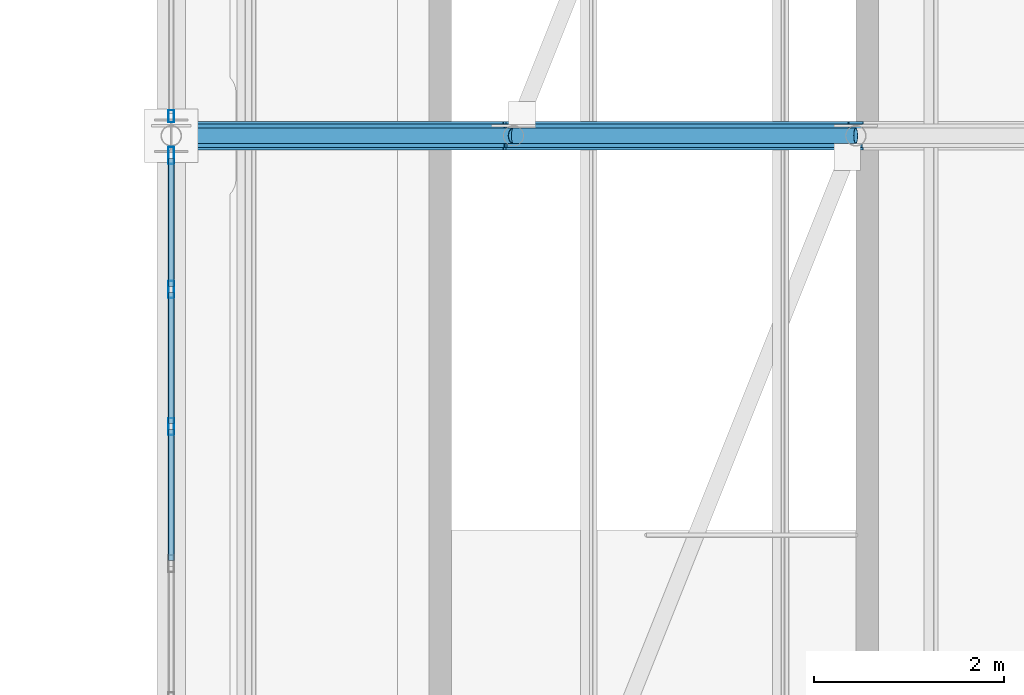
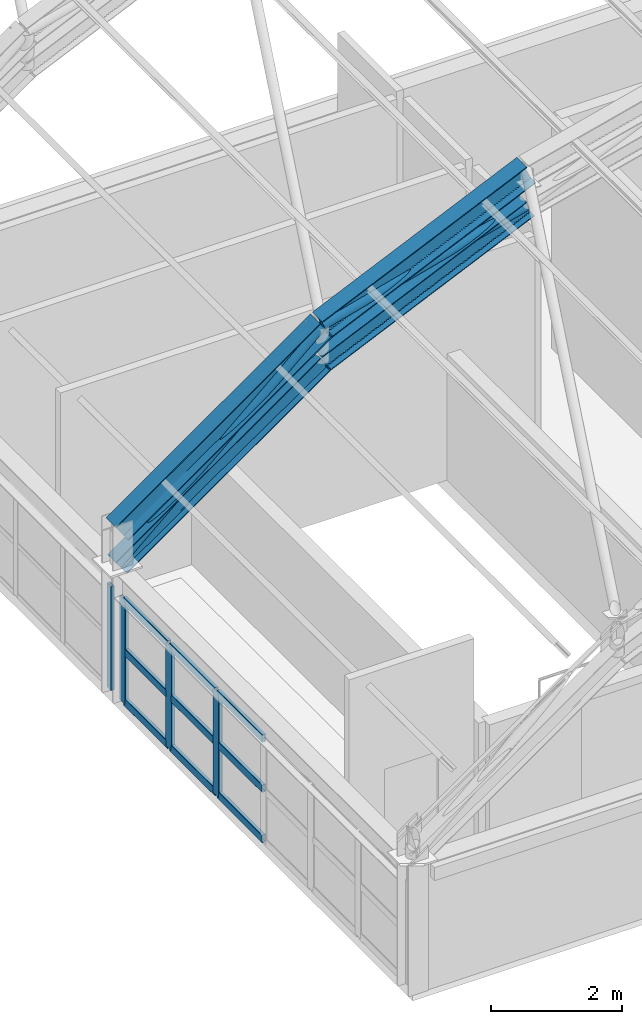
# One storey, part 26 of 121: 17 members, 2 beams, 2 elements without a shape of their own.
"""IFC4 building model written with IfcOpenShell, lengths in metres."""

from ifc_helpers import new_model, si_unit, direction, frame, origin, origin_2d, place, context, subcontext, project, spatial, hollow_rectangle, hollow_circle, i_section, extrude, material, material_profile, profile_set, type_object, element, aggregate, save


model = new_model("IFC4")

# Units and contexts
model_context = context("Model", 3, precision=1e-05, world=origin(), true_north=direction((0.0, 1.0)))
body_context = subcontext(model_context, "Body", "Model", "MODEL_VIEW")
ifc_project = project(units=[si_unit("LENGTHUNIT", "METRE"), si_unit("AREAUNIT", "SQUARE_METRE"), si_unit("VOLUMEUNIT", "CUBIC_METRE"), si_unit("PLANEANGLEUNIT", "RADIAN"), si_unit("MASSUNIT", "GRAM", prefix="KILO")], contexts=[model_context])

# Site, building, storey
site_placement = place(None, origin())
site = spatial("IfcSite", under=ifc_project, at=site_placement, CompositionType="ELEMENT")
building_placement = place(site_placement, origin())
building = spatial("IfcBuilding", under=site, at=building_placement, Name="Canglan Escarpment Cableway Terminal", CompositionType="ELEMENT")
storey_placement = place(building_placement, frame((0.0, 0.0, 24.60009765625)))
storey = spatial("IfcBuildingStorey", under=building, at=storey_placement, Name="L05", CompositionType="ELEMENT", Elevation=24.60009765625)

# Beams
ifc_material_1 = material(Name="Steel Q355B", Category="steel")
ifc_material_profile_1 = material_profile(ifc_material_1, i_section(OverallWidth=0.300048828125, OverallDepth=0.389892578125, WebThickness=0.010009765625, FlangeThickness=0.01611328125, FilletRadius=0.02197265625, at=origin_2d()), Name="HM 390x300x10x16")
ifc_profile_set_1 = profile_set([ifc_material_profile_1], Name="Steel Q355B")
beam_type = type_object("IfcBeamType", Name="BM-ARCH-TOP-HM390", PredefinedType="BEAM", material=ifc_profile_set_1)
beam_1_placement = place(storey_placement, frame((137.60009765625, 43.0, 3.08251953125), z_axis=(0.817731009495, 0.0, 0.575600552563), x_axis=(0.0, 1.0, 0.0)))
element("IfcBeam", 1, at=beam_1_placement, inside=storey, type_object=beam_type, Name="Vault ROOF TRUSS arch top chord AR-TC1", PredefinedType="BEAM", context=body_context, shape_type="SweptSolid", body=[
    extrude(i_section(OverallWidth=0.300048828125, OverallDepth=0.389892578125, WebThickness=0.010009765625, FlangeThickness=0.01611328125, FilletRadius=0.02197265625, at=origin_2d()), origin(), (0.0, 0.0, 1.0), 4.40234375),
])
beam_2_placement = place(storey_placement, frame((141.199951171875, 43.0, 5.616455078125), z_axis=(0.911752518833, 0.0, 0.410739996108), x_axis=(0.0, 1.0, 0.0)))
element("IfcBeam", 2, at=beam_2_placement, inside=storey, type_object=beam_type, Name="Vault ROOF TRUSS arch top chord AR-TC1", PredefinedType="BEAM", context=body_context, shape_type="SweptSolid", body=[
    extrude(i_section(OverallWidth=0.300048828125, OverallDepth=0.389892578125, WebThickness=0.010009765625, FlangeThickness=0.01611328125, FilletRadius=0.02197265625, at=origin_2d()), origin(), (0.0, 0.0, 1.0), 3.948486328125),
])

# Curtain wall, member
ifc_material_2 = material(Name="Anodized bronze aluminium and Low-E double glazing", Category="aluminium")
curtain_wall_type = type_object("IfcCurtainWallType", Name="CW-BAY-8650x1925", PredefinedType="NOTDEFINED", material=ifc_material_2)
curtain_wall_1_placement = place(storey_placement, origin())
curtain_wall_1 = element("IfcCurtainWall", 3, at=curtain_wall_1_placement, inside=storey, type_object=curtain_wall_type, Name="Classical bay-between-piers glazed curtain wall CW-65", PredefinedType="NOTDEFINED")
ifc_material_3 = material(Name="Thermally broken anodized aluminium 6063-T6", Category="aluminium")
ifc_material_profile_2 = material_profile(ifc_material_3, hollow_rectangle(XDim=0.06005859375, YDim=0.1298828125, WallThickness=0.0029296875, InnerFilletRadius=0.0029296875, OuterFilletRadius=0.006103515625, at=origin_2d()), Name="ALU-MULL 60x130x3")
ifc_profile_set_2 = profile_set([ifc_material_profile_2], Name="Thermally broken anodized aluminium 6063-T6")
member_type_1 = type_object("IfcMemberType", Name="CWM-01", PredefinedType="MULLION", material=ifc_profile_set_2)
member_1_placement = place(storey_placement, frame((137.60009765625, 43.205078125, 0.0), z_axis=(0.0, 0.0, 1.0), x_axis=(1.0, 0.0, 0.0)))
member_1 = element("IfcMember", 4, at=member_1_placement, type_object=member_type_1, Name="CW-65 mullion 7", PredefinedType="MULLION", context=body_context, shape_type="SweptSolid", body=[
    extrude(hollow_rectangle(XDim=0.06005859375, YDim=0.1298828125, WallThickness=0.0029296875, InnerFilletRadius=0.0029296875, OuterFilletRadius=0.006103515625, at=origin_2d()), origin(), (0.0, 0.0, 1.0), 1.932373046875),
])
aggregate(curtain_wall_1, [member_1])

# Curtain wall, members
curtain_wall_2_placement = place(storey_placement, origin())
curtain_wall_2 = element("IfcCurtainWall", 5, at=curtain_wall_2_placement, inside=storey, type_object=curtain_wall_type, Name="Classical bay-between-piers glazed curtain wall CW-65", PredefinedType="NOTDEFINED")
ifc_material_profile_3 = material_profile(ifc_material_3, hollow_rectangle(XDim=0.06494140625, YDim=0.179931640625, WallThickness=0.00390625, InnerFilletRadius=0.00390625, OuterFilletRadius=0.008056640625, at=origin_2d()), Name="ALU-MULL 65x180x4")
ifc_profile_set_3 = profile_set([ifc_material_profile_3], Name="Thermally broken anodized aluminium 6063-T6")
member_type_2 = type_object("IfcMemberType", Name="CWM-03", PredefinedType="MULLION", material=ifc_profile_set_3)
member_2_placement = place(storey_placement, frame((137.60009765625, 42.79248046875, 0.0), z_axis=(0.0, 0.0, 1.0), x_axis=(1.0, 0.0, 0.0)))
member_2 = element("IfcMember", 6, at=member_2_placement, type_object=member_type_2, Name="CW-65 mullion 1", PredefinedType="MULLION", context=body_context, shape_type="SweptSolid", body=[
    extrude(hollow_rectangle(XDim=0.06494140625, YDim=0.179931640625, WallThickness=0.00390625, InnerFilletRadius=0.00390625, OuterFilletRadius=0.008056640625, at=origin_2d()), origin(), (0.0, 0.0, 1.0), 1.932373046875),
])
member_3_placement = place(storey_placement, frame((137.60009765625, 41.38330078125, 0.0), z_axis=(0.0, 0.0, 1.0), x_axis=(1.0, 0.0, 0.0)))
member_3 = element("IfcMember", 7, at=member_3_placement, type_object=member_type_2, Name="CW-65 mullion 2", PredefinedType="MULLION", context=body_context, shape_type="SweptSolid", body=[
    extrude(hollow_rectangle(XDim=0.06494140625, YDim=0.179931640625, WallThickness=0.00390625, InnerFilletRadius=0.00390625, OuterFilletRadius=0.008056640625, at=origin_2d()), origin(), (0.0, 0.0, 1.0), 1.932373046875),
])
member_4_placement = place(storey_placement, frame((137.60009765625, 39.941650390625, 0.0), z_axis=(0.0, 0.0, 1.0), x_axis=(1.0, 0.0, 0.0)))
member_4 = element("IfcMember", 8, at=member_4_placement, type_object=member_type_2, Name="CW-65 mullion 3", PredefinedType="MULLION", context=body_context, shape_type="SweptSolid", body=[
    extrude(hollow_rectangle(XDim=0.06494140625, YDim=0.179931640625, WallThickness=0.00390625, InnerFilletRadius=0.00390625, OuterFilletRadius=0.008056640625, at=origin_2d()), origin(), (0.0, 0.0, 1.0), 1.932373046875),
])
ifc_material_profile_4 = material_profile(ifc_material_3, hollow_rectangle(XDim=0.06494140625, YDim=0.139892578125, WallThickness=0.00341796875, InnerFilletRadius=0.00341796875, OuterFilletRadius=0.007080078125, at=origin_2d()), Name="ALU-TRAN 65x140x3.5")
ifc_profile_set_4 = profile_set([ifc_material_profile_4], Name="Thermally broken anodized aluminium 6063-T6")
member_type_3 = type_object("IfcMemberType", Name="CWT-03", PredefinedType="USERDEFINED", material=ifc_profile_set_4)
member_5_placement = place(storey_placement, frame((137.60009765625, 42.760009765625, 0.032470703125), z_axis=(0.0, -1.0, 0.0), x_axis=(1.0, 0.0, 0.0)))
member_5 = element("IfcMember", 9, at=member_5_placement, type_object=member_type_3, Name="CW-65 transom 1.1", ObjectType="TRANSOM", PredefinedType="USERDEFINED", context=body_context, shape_type="SweptSolid", body=[
    extrude(hollow_rectangle(XDim=0.06494140625, YDim=0.139892578125, WallThickness=0.00341796875, InnerFilletRadius=0.00341796875, OuterFilletRadius=0.007080078125, at=origin_2d()), origin(), (0.0, 0.0, 1.0), 1.34423828125),
])
member_6_placement = place(storey_placement, frame((137.60009765625, 42.760009765625, 0.96630859375), z_axis=(0.0, -1.0, 0.0), x_axis=(1.0, 0.0, 0.0)))
member_6 = element("IfcMember", 10, at=member_6_placement, type_object=member_type_3, Name="CW-65 transom 1.2", ObjectType="TRANSOM", PredefinedType="USERDEFINED", context=body_context, shape_type="SweptSolid", body=[
    extrude(hollow_rectangle(XDim=0.06494140625, YDim=0.139892578125, WallThickness=0.00341796875, InnerFilletRadius=0.00341796875, OuterFilletRadius=0.007080078125, at=origin_2d()), origin(), (0.0, 0.0, 1.0), 1.34423828125),
])
member_7_placement = place(storey_placement, frame((137.60009765625, 42.760009765625, 1.89990234375), z_axis=(0.0, -1.0, 0.0), x_axis=(1.0, 0.0, 0.0)))
member_7 = element("IfcMember", 11, at=member_7_placement, type_object=member_type_3, Name="CW-65 transom 1.3", ObjectType="TRANSOM", PredefinedType="USERDEFINED", context=body_context, shape_type="SweptSolid", body=[
    extrude(hollow_rectangle(XDim=0.06494140625, YDim=0.139892578125, WallThickness=0.00341796875, InnerFilletRadius=0.00341796875, OuterFilletRadius=0.007080078125, at=origin_2d()), origin(), (0.0, 0.0, 1.0), 1.34423828125),
])
member_8_placement = place(storey_placement, frame((137.60009765625, 41.350830078125, 0.032470703125), z_axis=(0.0, -1.0, 0.0), x_axis=(1.0, 0.0, 0.0)))
member_8 = element("IfcMember", 12, at=member_8_placement, type_object=member_type_3, Name="CW-65 transom 2.1", ObjectType="TRANSOM", PredefinedType="USERDEFINED", context=body_context, shape_type="SweptSolid", body=[
    extrude(hollow_rectangle(XDim=0.06494140625, YDim=0.139892578125, WallThickness=0.00341796875, InnerFilletRadius=0.00341796875, OuterFilletRadius=0.007080078125, at=origin_2d()), origin(), (0.0, 0.0, 1.0), 1.376708984375),
])
member_9_placement = place(storey_placement, frame((137.60009765625, 41.350830078125, 0.96630859375), z_axis=(0.0, -1.0, 0.0), x_axis=(1.0, 0.0, 0.0)))
member_9 = element("IfcMember", 13, at=member_9_placement, type_object=member_type_3, Name="CW-65 transom 2.2", ObjectType="TRANSOM", PredefinedType="USERDEFINED", context=body_context, shape_type="SweptSolid", body=[
    extrude(hollow_rectangle(XDim=0.06494140625, YDim=0.139892578125, WallThickness=0.00341796875, InnerFilletRadius=0.00341796875, OuterFilletRadius=0.007080078125, at=origin_2d()), origin(), (0.0, 0.0, 1.0), 1.376708984375),
])
member_10_placement = place(storey_placement, frame((137.60009765625, 41.350830078125, 1.89990234375), z_axis=(0.0, -1.0, 0.0), x_axis=(1.0, 0.0, 0.0)))
member_10 = element("IfcMember", 14, at=member_10_placement, type_object=member_type_3, Name="CW-65 transom 2.3", ObjectType="TRANSOM", PredefinedType="USERDEFINED", context=body_context, shape_type="SweptSolid", body=[
    extrude(hollow_rectangle(XDim=0.06494140625, YDim=0.139892578125, WallThickness=0.00341796875, InnerFilletRadius=0.00341796875, OuterFilletRadius=0.007080078125, at=origin_2d()), origin(), (0.0, 0.0, 1.0), 1.376708984375),
])
member_11_placement = place(storey_placement, frame((137.60009765625, 39.9091796875, 0.032470703125), z_axis=(0.0, -1.0, 0.0), x_axis=(1.0, 0.0, 0.0)))
member_11 = element("IfcMember", 15, at=member_11_placement, type_object=member_type_3, Name="CW-65 transom 3.1", ObjectType="TRANSOM", PredefinedType="USERDEFINED", context=body_context, shape_type="SweptSolid", body=[
    extrude(hollow_rectangle(XDim=0.06494140625, YDim=0.139892578125, WallThickness=0.00341796875, InnerFilletRadius=0.00341796875, OuterFilletRadius=0.007080078125, at=origin_2d()), origin(), (0.0, 0.0, 1.0), 1.376708984375),
])
member_12_placement = place(storey_placement, frame((137.60009765625, 39.9091796875, 0.96630859375), z_axis=(0.0, -1.0, 0.0), x_axis=(1.0, 0.0, 0.0)))
member_12 = element("IfcMember", 16, at=member_12_placement, type_object=member_type_3, Name="CW-65 transom 3.2", ObjectType="TRANSOM", PredefinedType="USERDEFINED", context=body_context, shape_type="SweptSolid", body=[
    extrude(hollow_rectangle(XDim=0.06494140625, YDim=0.139892578125, WallThickness=0.00341796875, InnerFilletRadius=0.00341796875, OuterFilletRadius=0.007080078125, at=origin_2d()), origin(), (0.0, 0.0, 1.0), 1.376708984375),
])
member_13_placement = place(storey_placement, frame((137.60009765625, 39.9091796875, 1.89990234375), z_axis=(0.0, -1.0, 0.0), x_axis=(1.0, 0.0, 0.0)))
member_13 = element("IfcMember", 17, at=member_13_placement, type_object=member_type_3, Name="CW-65 transom 3.3", ObjectType="TRANSOM", PredefinedType="USERDEFINED", context=body_context, shape_type="SweptSolid", body=[
    extrude(hollow_rectangle(XDim=0.06494140625, YDim=0.139892578125, WallThickness=0.00341796875, InnerFilletRadius=0.00341796875, OuterFilletRadius=0.007080078125, at=origin_2d()), origin(), (0.0, 0.0, 1.0), 1.376708984375),
])
aggregate(curtain_wall_2, [member_2, member_3, member_4, member_5, member_6, member_7, member_8, member_9, member_10, member_11, member_12, member_13])

# Members
ifc_material_profile_5 = material_profile(ifc_material_1, i_section(OverallWidth=0.25, OverallDepth=0.340087890625, WebThickness=0.009033203125, FlangeThickness=0.013916015625, FilletRadius=0.02001953125, at=origin_2d()), Name="HM 340x250x9x14")
ifc_profile_set_5 = profile_set([ifc_material_profile_5], Name="Steel Q355B")
member_type_4 = type_object("IfcMemberType", Name="MB-ARCH-BOT-HM340", PredefinedType="CHORD", material=ifc_profile_set_5)
member_14_placement = place(storey_placement, frame((137.60009765625, 43.0, 2.432373046875), z_axis=(0.81770490607, 0.0, 0.575637634792), x_axis=(0.0, 1.0, 0.0)))
element("IfcMember", 18, at=member_14_placement, inside=storey, type_object=member_type_4, Name="Vault ROOF TRUSS arch bottom chord AR-BC1", PredefinedType="CHORD", context=body_context, shape_type="SweptSolid", body=[
    extrude(i_section(OverallWidth=0.25, OverallDepth=0.340087890625, WebThickness=0.009033203125, FlangeThickness=0.013916015625, FilletRadius=0.02001953125, at=origin_2d()), origin(), (0.0, 0.0, 1.0), 4.40234375),
])
member_15_placement = place(storey_placement, frame((141.199951171875, 43.0, 4.966552734375), z_axis=(0.911752518833, 0.0, 0.410739996108), x_axis=(0.0, 1.0, 0.0)))
element("IfcMember", 19, at=member_15_placement, inside=storey, type_object=member_type_4, Name="Vault ROOF TRUSS arch bottom chord AR-BC1", PredefinedType="CHORD", context=body_context, shape_type="SweptSolid", body=[
    extrude(i_section(OverallWidth=0.25, OverallDepth=0.340087890625, WebThickness=0.009033203125, FlangeThickness=0.013916015625, FilletRadius=0.02001953125, at=origin_2d()), origin(), (0.0, 0.0, 1.0), 3.948486328125),
])
ifc_material_profile_6 = material_profile(ifc_material_1, hollow_circle(Radius=0.084228515625, WallThickness=0.006103515625, at=origin_2d()), Name="CHS 168.3x6")
ifc_profile_set_6 = profile_set([ifc_material_profile_6], Name="Steel Q355B")
member_type_5 = type_object("IfcMemberType", Name="MB-ARCH-DIAG-CHS168", PredefinedType="BRACE", material=ifc_profile_set_6)
member_16_placement = place(storey_placement, frame((137.60009765625, 43.0, 2.432373046875), z_axis=(0.749038254518, 0.0, 0.662526749096), x_axis=(0.0, 1.0, 0.0)))
element("IfcMember", 20, at=member_16_placement, inside=storey, type_object=member_type_5, Name="Vault ROOF TRUSS web diagonal AR-DG1", PredefinedType="BRACE", context=body_context, shape_type="SweptSolid", body=[
    extrude(hollow_circle(Radius=0.084228515625, WallThickness=0.006103515625, at=origin_2d()), origin(), (0.0, 0.0, 1.0), 4.805908203125),
])
member_17_placement = place(storey_placement, frame((141.199951171875, 43.0, 5.616455078125), z_axis=(0.96543600217, 0.0, 0.260640222748), x_axis=(0.0, 1.0, 0.0)))
element("IfcMember", 21, at=member_17_placement, inside=storey, type_object=member_type_5, Name="Vault ROOF TRUSS web diagonal AR-DG1", PredefinedType="BRACE", context=body_context, shape_type="SweptSolid", body=[
    extrude(hollow_circle(Radius=0.084228515625, WallThickness=0.006103515625, at=origin_2d()), origin(), (0.0, 0.0, 1.0), 3.72900390625),
])

save(model, "model.ifc")
